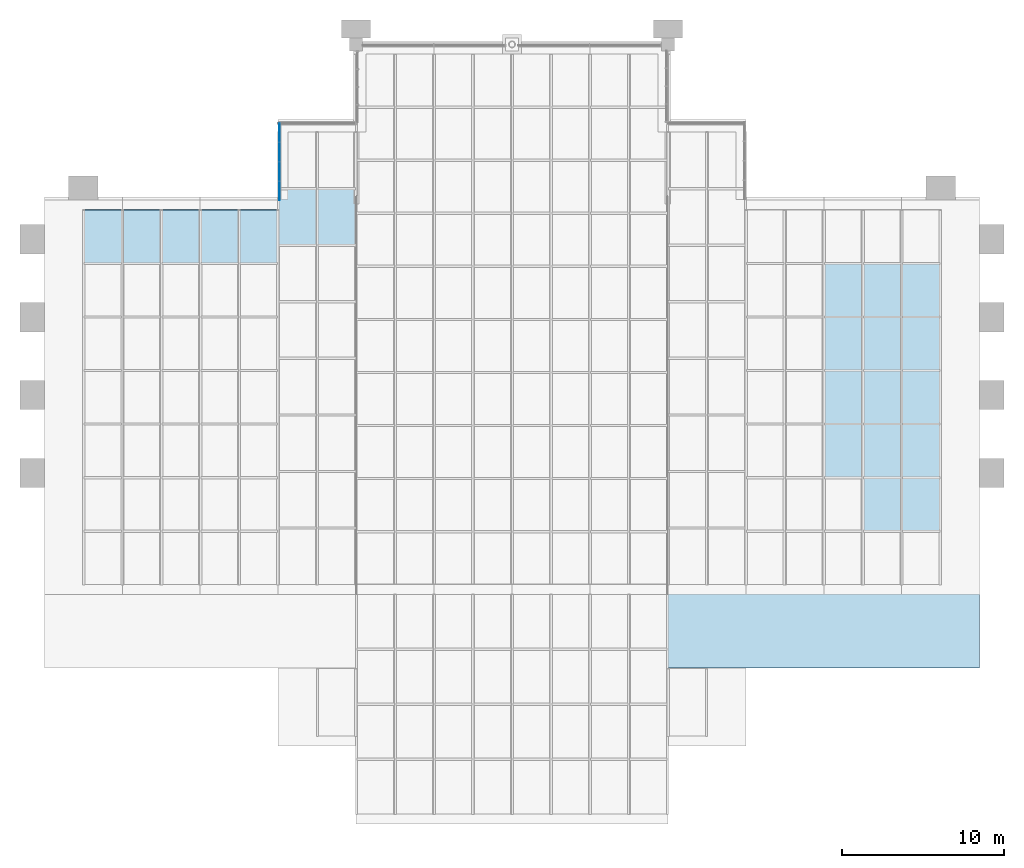
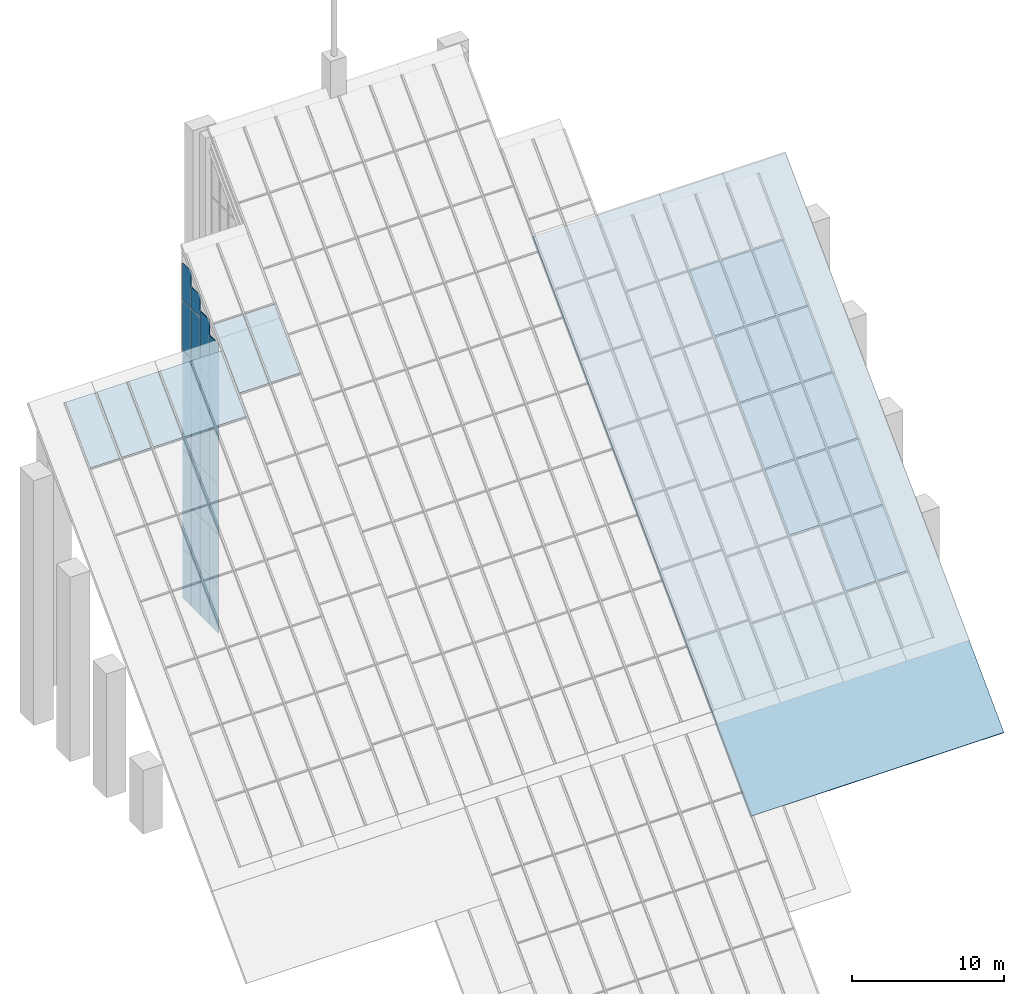
# One storey, part 20 of 25: 47 plates, 1 slab, 36 elements without a shape of their own.
"""IFC4 building model written with IfcOpenShell, lengths in metres."""

import ifcopenshell
import ifcopenshell.guid

model = None  # the IFC model being written
_history = None  # IfcOwnerHistory: only IFC2X3 demands one
_inside = {}  # id of a spatial element -> (the spatial element, [elements in it])
_under = {}  # id of a project, library or spatial element -> (it, [spatial elements below it])
_declared = {}  # id of a project -> (the project, [libraries it declares])
_typed = {}  # id of a type object -> (the type object, [elements of that type])
_made_of = {}  # id of a material, layer set ... -> (it, [elements and type objects made of it])


def new_model(schema):
    """Start an empty IFC model of exactly this schema.

    Asked for "IFC4X3", IfcOpenShell would pick the latest addendum, in which some entities
    have other attributes; the version numbers below select the first issue.
    IFC2X3 requires an IfcOwnerHistory on every rooted entity: one is made here for all.
    """
    global model, _history
    if schema == "IFC4X3":
        model = ifcopenshell.file(schema_version=(4, 3, 0, 0))
    else:
        model = ifcopenshell.file(schema=schema)
    _inside.clear()
    _under.clear()
    _declared.clear()
    _typed.clear()
    _made_of.clear()
    _history = None
    if model.schema == "IFC2X3":
        org = make("IfcOrganization", Name="unknown")
        user = make(
            "IfcPersonAndOrganization",
            ThePerson=make("IfcPerson", FamilyName="unknown"),
            TheOrganization=org,
        )
        app = make(
            "IfcApplication",
            ApplicationDeveloper=org,
            Version="unknown",
            ApplicationFullName="unknown",
            ApplicationIdentifier="unknown",
        )
        _history = make(
            "IfcOwnerHistory",
            OwningUser=user,
            OwningApplication=app,
            ChangeAction="ADDED",
            CreationDate=0,
        )
    return model


def make(cls, **values):
    """One entity of the class cls with the attributes given. An attribute that is None is left unset."""
    return model.create_entity(
        cls, **{name: value for name, value in values.items() if value is not None}
    )


def rooted(cls, **values):
    """An entity with a GlobalId (a new one), such as an element, a storey or a relation."""
    return make(cls, GlobalId=ifcopenshell.guid.new(), OwnerHistory=_history, **values)


def si_unit(unit_type, name, prefix=None):
    """IfcSIUnit, for example si_unit("LENGTHUNIT", "METRE", prefix="MILLI")."""
    return make("IfcSIUnit", UnitType=unit_type, Prefix=prefix, Name=name)


def assignment(units):
    """IfcUnitAssignment: the units of a project."""
    return None if units is None else make("IfcUnitAssignment", Units=units)


def point(xyz):
    """IfcCartesianPoint."""
    return None if xyz is None else make("IfcCartesianPoint", Coordinates=xyz)


def direction(xyz):
    """IfcDirection."""
    return None if xyz is None else make("IfcDirection", DirectionRatios=xyz)


def frame(location, z_axis=None, x_axis=None):
    """IfcAxis2Placement3D, a coordinate frame: its origin and axes. An axis left out is left unset."""
    return make(
        "IfcAxis2Placement3D",
        Location=point(location),
        Axis=direction(z_axis),
        RefDirection=direction(x_axis),
    )


def frame_2d(location, x_axis=None):
    """IfcAxis2Placement2D, a coordinate frame in the plane: its origin and x axis."""
    return make(
        "IfcAxis2Placement2D", Location=point(location), RefDirection=direction(x_axis)
    )


def origin():
    """The frame at (0, 0, 0) with its axes left unset."""
    return frame((0.0, 0.0, 0.0))


def origin_2d():
    """The frame at (0, 0) in the plane with its x axis left unset."""
    return frame_2d((0.0, 0.0))


def place(relative_to, where):
    """IfcLocalPlacement: puts the frame where relative to a parent placement (None: the world)."""
    return make(
        "IfcLocalPlacement", PlacementRelTo=relative_to, RelativePlacement=where
    )


def context(
    kind, dimensions, precision=None, world=None, true_north=None, identifier=None
):
    """IfcGeometricRepresentationContext, for example the 3D "Model" context."""
    return make(
        "IfcGeometricRepresentationContext",
        ContextIdentifier=identifier,
        ContextType=kind,
        CoordinateSpaceDimension=dimensions,
        Precision=precision,
        WorldCoordinateSystem=world,
        TrueNorth=true_north,
    )


def subcontext(parent, identifier, kind, view, scale=None):
    """IfcGeometricRepresentationSubContext, for example "Body" below "Model"."""
    return make(
        "IfcGeometricRepresentationSubContext",
        ContextIdentifier=identifier,
        ContextType=kind,
        ParentContext=parent,
        TargetScale=scale,
        TargetView=view,
    )


def project(units=None, contexts=None):
    """IfcProject with its units and contexts."""
    return rooted(
        "IfcProject",
        Name="project",
        RepresentationContexts=contexts,
        UnitsInContext=assignment(units),
    )


def spatial(cls, under=None, at=None, **own):
    """A site, building, storey or space (cls), placed at a placement, below another one or the project."""
    s = rooted(cls, ObjectPlacement=at, **own)
    if under is not None:
        _under.setdefault(under.id(), (under, []))[1].append(s)
    return s


def polyline(points):
    """IfcPolyline through the points."""
    return make("IfcPolyline", Points=[point(p) for p in points])


def profile(cls, at=None, kind="AREA", **sizes):
    """A parametric profile (cls). Its sizes go by their IFC names, for example OverallWidth=200.0."""
    return make(cls, ProfileType=kind, Position=at, **sizes)


def rectangle(**sizes):
    """IfcRectangleProfileDef."""
    return profile("IfcRectangleProfileDef", **sizes)


def outline(outer, holes=None, kind="AREA"):
    """IfcArbitraryClosedProfileDef: a profile drawn as a closed curve; with holes, ...WithVoids."""
    if holes is None:
        return make("IfcArbitraryClosedProfileDef", ProfileType=kind, OuterCurve=outer)
    return make(
        "IfcArbitraryProfileDefWithVoids",
        ProfileType=kind,
        OuterCurve=outer,
        InnerCurves=holes,
    )


def extrude(swept, where, along, depth):
    """IfcExtrudedAreaSolid: the profile swept, set in the frame where, extruded along a direction by depth."""
    return make(
        "IfcExtrudedAreaSolid",
        SweptArea=swept,
        Position=where,
        ExtrudedDirection=direction(along),
        Depth=depth,
    )


def shape(context_of_items, identifier, shape_type, items):
    """IfcShapeRepresentation: the items that make up one representation, for example the "Body"."""
    return make(
        "IfcShapeRepresentation",
        ContextOfItems=context_of_items,
        RepresentationIdentifier=identifier,
        RepresentationType=shape_type,
        Items=items,
    )


def material(Name=None, Category=None):
    """IfcMaterial."""
    return make("IfcMaterial", Name=Name, Category=Category)


def layer(
    of_material, thickness, ventilated=None, Name=None, Category=None, Priority=None
):
    """IfcMaterialLayer: one layer of a wall or slab, of a material (None: an air gap)."""
    return make(
        "IfcMaterialLayer",
        Material=of_material,
        LayerThickness=thickness,
        IsVentilated=ventilated,
        Name=Name,
        Category=Category,
        Priority=Priority,
    )


def layer_set(layers, Name=None):
    """IfcMaterialLayerSet."""
    return make("IfcMaterialLayerSet", MaterialLayers=layers, LayerSetName=Name)


def made_of(thing, what):
    """Note that an element or type object is made of a material, layer set ...; save() writes the relation."""
    if what is not None:
        _made_of.setdefault(what.id(), (what, []))[1].append(thing)
    return thing


def type_object(cls, material=None, **own):
    """A type object (cls), such as IfcWallType, which elements share."""
    return made_of(rooted(cls, **own), material)


def element(
    cls,
    number,
    at=None,
    inside=None,
    cuts=None,
    type_object=None,
    material=None,
    context=None,
    identifier="Body",
    shape_type=None,
    held_by="IfcProductDefinitionShape",
    body=None,
    shapes=None,
    **own,
):
    """One element of the class cls, such as IfcWall. Its Tag is "e" and its number.

    at: its placement. inside: the storey or other place that contains it. cuts: it is an
    opening in that element (IfcRelVoidsElement). A single representation is given by context,
    identifier, shape_type and body (its items); several are given by shapes. held_by: the class
    of the entity that holds the representations. save() writes the other relations.
    """
    e = rooted(cls, Tag="e%d" % number, ObjectPlacement=at, **own)
    if body is not None:
        shapes = [shape(context, identifier, shape_type, body)]
    if shapes is not None:
        e.Representation = make(held_by, Representations=shapes)
    if inside is not None:
        _inside.setdefault(inside.id(), (inside, []))[1].append(e)
    if cuts is not None:
        rooted(
            "IfcRelVoidsElement", RelatingBuildingElement=cuts, RelatedOpeningElement=e
        )
    if type_object is not None:
        _typed.setdefault(type_object.id(), (type_object, []))[1].append(e)
    return made_of(e, material)


def aggregate(whole, parts):
    """IfcRelAggregates: a whole, such as a stair, and the parts it consists of."""
    return rooted("IfcRelAggregates", RelatingObject=whole, RelatedObjects=parts)


def save(model, path):
    """Write the relations noted so far, then the file.

    IfcRelAggregates (storeys below a building ...), IfcRelContainedInSpatialStructure (elements
    in a storey), IfcRelDefinesByType, IfcRelAssociatesMaterial and IfcRelDeclares: one each for
    every whole, place, type object, material and project.
    """
    for whole, parts in _under.values():
        aggregate(whole, parts)
    for where, things in _inside.values():
        rooted(
            "IfcRelContainedInSpatialStructure",
            RelatedElements=things,
            RelatingStructure=where,
        )
    for kind, things in _typed.values():
        rooted("IfcRelDefinesByType", RelatedObjects=things, RelatingType=kind)
    for what, things in _made_of.values():
        rooted("IfcRelAssociatesMaterial", RelatedObjects=things, RelatingMaterial=what)
    for by, libraries in _declared.values():
        rooted("IfcRelDeclares", RelatingContext=by, RelatedDefinitions=libraries)
    model.write(path)


model = new_model("IFC4")

# Units and contexts
model_context = context("Model", 3, precision=1e-05, world=origin(), true_north=direction((0.0, 1.0)))
body_context = subcontext(model_context, "Body", "Model", "MODEL_VIEW")
ifc_project = project(units=[si_unit("LENGTHUNIT", "METRE"), si_unit("AREAUNIT", "SQUARE_METRE"), si_unit("VOLUMEUNIT", "CUBIC_METRE"), si_unit("PLANEANGLEUNIT", "RADIAN"), si_unit("MASSUNIT", "GRAM", prefix="KILO")], contexts=[model_context])

# Site, building, storey
site_placement = place(None, origin())
site = spatial("IfcSite", under=ifc_project, at=site_placement, CompositionType="ELEMENT")
building_placement = place(site_placement, origin())
building = spatial("IfcBuilding", under=site, at=building_placement, Name="Baori Bourse Tower", CompositionType="ELEMENT")
storey_placement = place(building_placement, frame((0.0, 0.0, 378.300048828125)))
storey = spatial("IfcBuildingStorey", under=building, at=storey_placement, Name="Roof", CompositionType="ELEMENT", Elevation=378.300048828125)

# Curtain wall, plate
ifc_material_1 = material(Name="Pale anodised aluminium", Category="aluminium")
curtain_wall_type_1 = type_object("IfcCurtainWallType", Name="CW3 Curtain wall", PredefinedType="NOTDEFINED", material=ifc_material_1)
curtain_wall_1_placement = place(storey_placement, origin())
curtain_wall_1 = element("IfcCurtainWall", 1, at=curtain_wall_1_placement, inside=storey, type_object=curtain_wall_type_1, Name="Curtain wall CW3 Roof 139", PredefinedType="NOTDEFINED")
ifc_material_2 = material(Name="Pale anodised aluminium", Category="aluminium")
ifc_layer_1 = layer(ifc_material_2, 0.0400390625)
ifc_layer_set_1 = layer_set([ifc_layer_1], Name="CW3 Curtain wall panel")
plate_type_1 = type_object("IfcPlateType", Name="CW3 Curtain wall panel", PredefinedType="CURTAIN_PANEL", material=ifc_layer_set_1)
plate_1_placement = place(storey_placement, frame((14.47998046875, 42.574951171875, -0.18994140625), z_axis=(0.0, 0.0, 1.0), x_axis=(0.0, -1.0, 0.0)))
plate_1 = element("IfcPlate", 2, at=plate_1_placement, type_object=plate_type_1, Name="Curtain wall CW3 louvre panel", PredefinedType="CURTAIN_PANEL", context=body_context, shape_type="SweptSolid", body=[
    extrude(rectangle(XDim=1.14990234375, YDim=0.0400390625, at=origin_2d()), origin(), (0.0, 0.0, 1.0), 3.93994140625),
])
aggregate(curtain_wall_1, [plate_1])

curtain_wall_2_placement = place(storey_placement, origin())
curtain_wall_2 = element("IfcCurtainWall", 3, at=curtain_wall_2_placement, inside=storey, type_object=curtain_wall_type_1, Name="Curtain wall CW3 Roof 140", PredefinedType="NOTDEFINED")
plate_2_placement = place(storey_placement, frame((14.47998046875, 42.574951171875, 3.81005859375), z_axis=(0.0, 0.0, 1.0), x_axis=(0.0, -1.0, 0.0)))
plate_2 = element("IfcPlate", 4, at=plate_2_placement, type_object=plate_type_1, Name="Curtain wall CW3 louvre panel", PredefinedType="CURTAIN_PANEL", context=body_context, shape_type="SweptSolid", body=[
    extrude(rectangle(XDim=1.14990234375, YDim=0.0400390625, at=origin_2d()), origin(), (0.0, 0.0, 1.0), 3.93994140625),
])
aggregate(curtain_wall_2, [plate_2])

curtain_wall_3_placement = place(storey_placement, origin())
curtain_wall_3 = element("IfcCurtainWall", 5, at=curtain_wall_3_placement, inside=storey, type_object=curtain_wall_type_1, Name="Curtain wall CW3 Roof 141", PredefinedType="NOTDEFINED")
plate_3_placement = place(storey_placement, frame((14.47998046875, 42.574951171875, 7.81005859375), z_axis=(0.0, 0.0, 1.0), x_axis=(0.0, -1.0, 0.0)))
plate_3 = element("IfcPlate", 6, at=plate_3_placement, type_object=plate_type_1, Name="Curtain wall CW3 louvre panel", PredefinedType="CURTAIN_PANEL", context=body_context, shape_type="SweptSolid", body=[
    extrude(rectangle(XDim=1.14990234375, YDim=0.0400390625, at=origin_2d()), origin(), (0.0, 0.0, 1.0), 3.93994140625),
])
aggregate(curtain_wall_3, [plate_3])

curtain_wall_4_placement = place(storey_placement, origin())
curtain_wall_4 = element("IfcCurtainWall", 7, at=curtain_wall_4_placement, inside=storey, type_object=curtain_wall_type_1, Name="Curtain wall CW3 Roof 142", PredefinedType="NOTDEFINED")
plate_4_placement = place(storey_placement, frame((14.47998046875, 42.574951171875, 11.81005859375), z_axis=(0.0, 0.0, 1.0), x_axis=(0.0, -1.0, 0.0)))
plate_4 = element("IfcPlate", 8, at=plate_4_placement, type_object=plate_type_1, Name="Curtain wall CW3 louvre panel", PredefinedType="CURTAIN_PANEL", context=body_context, shape_type="SweptSolid", body=[
    extrude(rectangle(XDim=1.14990234375, YDim=0.0400390625, at=origin_2d()), origin(), (0.0, 0.0, 1.0), 3.93994140625),
])
aggregate(curtain_wall_4, [plate_4])

curtain_wall_5_placement = place(storey_placement, origin())
curtain_wall_5 = element("IfcCurtainWall", 9, at=curtain_wall_5_placement, inside=storey, type_object=curtain_wall_type_1, Name="Curtain wall CW3 Roof 143", PredefinedType="NOTDEFINED")
plate_5_placement = place(storey_placement, frame((14.47998046875, 42.574951171875, 15.81005859375), z_axis=(0.0, 0.0, 1.0), x_axis=(0.0, -1.0, 0.0)))
plate_5 = element("IfcPlate", 10, at=plate_5_placement, type_object=plate_type_1, Name="Curtain wall CW3 louvre panel", PredefinedType="CURTAIN_PANEL", context=body_context, shape_type="SweptSolid", body=[
    extrude(rectangle(XDim=1.14990234375, YDim=0.0400390625, at=origin_2d()), origin(), (0.0, 0.0, 1.0), 3.93994140625),
])
aggregate(curtain_wall_5, [plate_5])

curtain_wall_6_placement = place(storey_placement, origin())
curtain_wall_6 = element("IfcCurtainWall", 11, at=curtain_wall_6_placement, inside=storey, type_object=curtain_wall_type_1, Name="Curtain wall CW3 Roof 144", PredefinedType="NOTDEFINED")
plate_6_placement = place(storey_placement, frame((14.47998046875, 42.574951171875, 19.81005859375), z_axis=(0.0, 0.0, 1.0), x_axis=(0.0, -1.0, 0.0)))
plate_6 = element("IfcPlate", 12, at=plate_6_placement, type_object=plate_type_1, Name="Curtain wall CW3 louvre panel", PredefinedType="CURTAIN_PANEL", context=body_context, shape_type="SweptSolid", body=[
    extrude(rectangle(XDim=1.14990234375, YDim=0.0400390625, at=origin_2d()), origin(), (0.0, 0.0, 1.0), 3.93994140625),
])
aggregate(curtain_wall_6, [plate_6])

curtain_wall_7_placement = place(storey_placement, origin())
curtain_wall_7 = element("IfcCurtainWall", 13, at=curtain_wall_7_placement, inside=storey, type_object=curtain_wall_type_1, Name="Curtain wall CW3 Roof 145", PredefinedType="NOTDEFINED")
plate_7_placement = place(storey_placement, frame((14.47998046875, 42.574951171875, 23.81005859375), z_axis=(0.0, 0.0, 1.0), x_axis=(0.0, -1.0, 0.0)))
plate_7 = element("IfcPlate", 14, at=plate_7_placement, type_object=plate_type_1, Name="Curtain wall CW3 louvre panel", PredefinedType="CURTAIN_PANEL", context=body_context, shape_type="SweptSolid", body=[
    extrude(rectangle(XDim=1.14990234375, YDim=0.0400390625, at=origin_2d()), origin(), (0.0, 0.0, 1.0), 2.945068359375),
])
aggregate(curtain_wall_7, [plate_7])

curtain_wall_8_placement = place(storey_placement, origin())
curtain_wall_8 = element("IfcCurtainWall", 15, at=curtain_wall_8_placement, inside=storey, type_object=curtain_wall_type_1, Name="Curtain wall CW3 Roof 146", PredefinedType="NOTDEFINED")
plate_8_placement = place(storey_placement, frame((14.47998046875, 41.375, -0.18994140625), z_axis=(0.0, 0.0, 1.0), x_axis=(0.0, -1.0, 0.0)))
plate_8 = element("IfcPlate", 16, at=plate_8_placement, type_object=plate_type_1, Name="Curtain wall CW3 louvre panel", PredefinedType="CURTAIN_PANEL", context=body_context, shape_type="SweptSolid", body=[
    extrude(rectangle(XDim=1.14990234375, YDim=0.0400390625, at=origin_2d()), origin(), (0.0, 0.0, 1.0), 3.93994140625),
])
aggregate(curtain_wall_8, [plate_8])

curtain_wall_9_placement = place(storey_placement, origin())
curtain_wall_9 = element("IfcCurtainWall", 17, at=curtain_wall_9_placement, inside=storey, type_object=curtain_wall_type_1, Name="Curtain wall CW3 Roof 147", PredefinedType="NOTDEFINED")
plate_9_placement = place(storey_placement, frame((14.47998046875, 41.375, 3.81005859375), z_axis=(0.0, 0.0, 1.0), x_axis=(0.0, -1.0, 0.0)))
plate_9 = element("IfcPlate", 18, at=plate_9_placement, type_object=plate_type_1, Name="Curtain wall CW3 louvre panel", PredefinedType="CURTAIN_PANEL", context=body_context, shape_type="SweptSolid", body=[
    extrude(rectangle(XDim=1.14990234375, YDim=0.0400390625, at=origin_2d()), origin(), (0.0, 0.0, 1.0), 3.93994140625),
])
aggregate(curtain_wall_9, [plate_9])

curtain_wall_10_placement = place(storey_placement, origin())
curtain_wall_10 = element("IfcCurtainWall", 19, at=curtain_wall_10_placement, inside=storey, type_object=curtain_wall_type_1, Name="Curtain wall CW3 Roof 148", PredefinedType="NOTDEFINED")
plate_10_placement = place(storey_placement, frame((14.47998046875, 41.375, 7.81005859375), z_axis=(0.0, 0.0, 1.0), x_axis=(0.0, -1.0, 0.0)))
plate_10 = element("IfcPlate", 20, at=plate_10_placement, type_object=plate_type_1, Name="Curtain wall CW3 louvre panel", PredefinedType="CURTAIN_PANEL", context=body_context, shape_type="SweptSolid", body=[
    extrude(rectangle(XDim=1.14990234375, YDim=0.0400390625, at=origin_2d()), origin(), (0.0, 0.0, 1.0), 3.93994140625),
])
aggregate(curtain_wall_10, [plate_10])

curtain_wall_11_placement = place(storey_placement, origin())
curtain_wall_11 = element("IfcCurtainWall", 21, at=curtain_wall_11_placement, inside=storey, type_object=curtain_wall_type_1, Name="Curtain wall CW3 Roof 149", PredefinedType="NOTDEFINED")
plate_11_placement = place(storey_placement, frame((14.47998046875, 41.375, 11.81005859375), z_axis=(0.0, 0.0, 1.0), x_axis=(0.0, -1.0, 0.0)))
plate_11 = element("IfcPlate", 22, at=plate_11_placement, type_object=plate_type_1, Name="Curtain wall CW3 louvre panel", PredefinedType="CURTAIN_PANEL", context=body_context, shape_type="SweptSolid", body=[
    extrude(rectangle(XDim=1.14990234375, YDim=0.0400390625, at=origin_2d()), origin(), (0.0, 0.0, 1.0), 3.93994140625),
])
aggregate(curtain_wall_11, [plate_11])

curtain_wall_12_placement = place(storey_placement, origin())
curtain_wall_12 = element("IfcCurtainWall", 23, at=curtain_wall_12_placement, inside=storey, type_object=curtain_wall_type_1, Name="Curtain wall CW3 Roof 150", PredefinedType="NOTDEFINED")
plate_12_placement = place(storey_placement, frame((14.47998046875, 41.375, 15.81005859375), z_axis=(0.0, 0.0, 1.0), x_axis=(0.0, -1.0, 0.0)))
plate_12 = element("IfcPlate", 24, at=plate_12_placement, type_object=plate_type_1, Name="Curtain wall CW3 louvre panel", PredefinedType="CURTAIN_PANEL", context=body_context, shape_type="SweptSolid", body=[
    extrude(rectangle(XDim=1.14990234375, YDim=0.0400390625, at=origin_2d()), origin(), (0.0, 0.0, 1.0), 3.93994140625),
])
aggregate(curtain_wall_12, [plate_12])

curtain_wall_13_placement = place(storey_placement, origin())
curtain_wall_13 = element("IfcCurtainWall", 25, at=curtain_wall_13_placement, inside=storey, type_object=curtain_wall_type_1, Name="Curtain wall CW3 Roof 151", PredefinedType="NOTDEFINED")
plate_13_placement = place(storey_placement, frame((14.47998046875, 41.375, 19.81005859375), z_axis=(0.0, 0.0, 1.0), x_axis=(0.0, -1.0, 0.0)))
plate_13 = element("IfcPlate", 26, at=plate_13_placement, type_object=plate_type_1, Name="Curtain wall CW3 louvre panel", PredefinedType="CURTAIN_PANEL", context=body_context, shape_type="SweptSolid", body=[
    extrude(rectangle(XDim=1.14990234375, YDim=0.0400390625, at=origin_2d()), origin(), (0.0, 0.0, 1.0), 3.93994140625),
])
aggregate(curtain_wall_13, [plate_13])

curtain_wall_14_placement = place(storey_placement, origin())
curtain_wall_14 = element("IfcCurtainWall", 27, at=curtain_wall_14_placement, inside=storey, type_object=curtain_wall_type_1, Name="Curtain wall CW3 Roof 152", PredefinedType="NOTDEFINED")
plate_14_placement = place(storey_placement, frame((14.47998046875, 41.375, 23.81005859375), z_axis=(0.0, 0.0, 1.0), x_axis=(0.0, -1.0, 0.0)))
plate_14 = element("IfcPlate", 28, at=plate_14_placement, type_object=plate_type_1, Name="Curtain wall CW3 louvre panel", PredefinedType="CURTAIN_PANEL", context=body_context, shape_type="SweptSolid", body=[
    extrude(rectangle(XDim=1.14990234375, YDim=0.0400390625, at=origin_2d()), origin(), (0.0, 0.0, 1.0), 1.72998046875),
])
aggregate(curtain_wall_14, [plate_14])

curtain_wall_15_placement = place(storey_placement, origin())
curtain_wall_15 = element("IfcCurtainWall", 29, at=curtain_wall_15_placement, inside=storey, type_object=curtain_wall_type_1, Name="Curtain wall CW3 Roof 153", PredefinedType="NOTDEFINED")
plate_15_placement = place(storey_placement, frame((14.47998046875, 40.175048828125, -0.18994140625), z_axis=(0.0, 0.0, 1.0), x_axis=(0.0, -1.0, 0.0)))
plate_15 = element("IfcPlate", 30, at=plate_15_placement, type_object=plate_type_1, Name="Curtain wall CW3 louvre panel", PredefinedType="CURTAIN_PANEL", context=body_context, shape_type="SweptSolid", body=[
    extrude(rectangle(XDim=1.14990234375, YDim=0.0400390625, at=origin_2d()), origin(), (0.0, 0.0, 1.0), 3.93994140625),
])
aggregate(curtain_wall_15, [plate_15])

curtain_wall_16_placement = place(storey_placement, origin())
curtain_wall_16 = element("IfcCurtainWall", 31, at=curtain_wall_16_placement, inside=storey, type_object=curtain_wall_type_1, Name="Curtain wall CW3 Roof 154", PredefinedType="NOTDEFINED")
plate_16_placement = place(storey_placement, frame((14.47998046875, 40.175048828125, 3.81005859375), z_axis=(0.0, 0.0, 1.0), x_axis=(0.0, -1.0, 0.0)))
plate_16 = element("IfcPlate", 32, at=plate_16_placement, type_object=plate_type_1, Name="Curtain wall CW3 louvre panel", PredefinedType="CURTAIN_PANEL", context=body_context, shape_type="SweptSolid", body=[
    extrude(rectangle(XDim=1.14990234375, YDim=0.0400390625, at=origin_2d()), origin(), (0.0, 0.0, 1.0), 3.93994140625),
])
aggregate(curtain_wall_16, [plate_16])

curtain_wall_17_placement = place(storey_placement, origin())
curtain_wall_17 = element("IfcCurtainWall", 33, at=curtain_wall_17_placement, inside=storey, type_object=curtain_wall_type_1, Name="Curtain wall CW3 Roof 155", PredefinedType="NOTDEFINED")
plate_17_placement = place(storey_placement, frame((14.47998046875, 40.175048828125, 7.81005859375), z_axis=(0.0, 0.0, 1.0), x_axis=(0.0, -1.0, 0.0)))
plate_17 = element("IfcPlate", 34, at=plate_17_placement, type_object=plate_type_1, Name="Curtain wall CW3 louvre panel", PredefinedType="CURTAIN_PANEL", context=body_context, shape_type="SweptSolid", body=[
    extrude(rectangle(XDim=1.14990234375, YDim=0.0400390625, at=origin_2d()), origin(), (0.0, 0.0, 1.0), 3.93994140625),
])
aggregate(curtain_wall_17, [plate_17])

curtain_wall_18_placement = place(storey_placement, origin())
curtain_wall_18 = element("IfcCurtainWall", 35, at=curtain_wall_18_placement, inside=storey, type_object=curtain_wall_type_1, Name="Curtain wall CW3 Roof 156", PredefinedType="NOTDEFINED")
plate_18_placement = place(storey_placement, frame((14.47998046875, 40.175048828125, 11.81005859375), z_axis=(0.0, 0.0, 1.0), x_axis=(0.0, -1.0, 0.0)))
plate_18 = element("IfcPlate", 36, at=plate_18_placement, type_object=plate_type_1, Name="Curtain wall CW3 louvre panel", PredefinedType="CURTAIN_PANEL", context=body_context, shape_type="SweptSolid", body=[
    extrude(rectangle(XDim=1.14990234375, YDim=0.0400390625, at=origin_2d()), origin(), (0.0, 0.0, 1.0), 3.93994140625),
])
aggregate(curtain_wall_18, [plate_18])

curtain_wall_19_placement = place(storey_placement, origin())
curtain_wall_19 = element("IfcCurtainWall", 37, at=curtain_wall_19_placement, inside=storey, type_object=curtain_wall_type_1, Name="Curtain wall CW3 Roof 157", PredefinedType="NOTDEFINED")
plate_19_placement = place(storey_placement, frame((14.47998046875, 40.175048828125, 15.81005859375), z_axis=(0.0, 0.0, 1.0), x_axis=(0.0, -1.0, 0.0)))
plate_19 = element("IfcPlate", 38, at=plate_19_placement, type_object=plate_type_1, Name="Curtain wall CW3 louvre panel", PredefinedType="CURTAIN_PANEL", context=body_context, shape_type="SweptSolid", body=[
    extrude(rectangle(XDim=1.14990234375, YDim=0.0400390625, at=origin_2d()), origin(), (0.0, 0.0, 1.0), 3.93994140625),
])
aggregate(curtain_wall_19, [plate_19])

curtain_wall_20_placement = place(storey_placement, origin())
curtain_wall_20 = element("IfcCurtainWall", 39, at=curtain_wall_20_placement, inside=storey, type_object=curtain_wall_type_1, Name="Curtain wall CW3 Roof 158", PredefinedType="NOTDEFINED")
plate_20_placement = place(storey_placement, frame((14.47998046875, 40.175048828125, 19.81005859375), z_axis=(0.0, 0.0, 1.0), x_axis=(0.0, -1.0, 0.0)))
plate_20 = element("IfcPlate", 40, at=plate_20_placement, type_object=plate_type_1, Name="Curtain wall CW3 louvre panel", PredefinedType="CURTAIN_PANEL", context=body_context, shape_type="SweptSolid", body=[
    extrude(rectangle(XDim=1.14990234375, YDim=0.0400390625, at=origin_2d()), origin(), (0.0, 0.0, 1.0), 4.514892578125),
])
aggregate(curtain_wall_20, [plate_20])

curtain_wall_21_placement = place(storey_placement, origin())
curtain_wall_21 = element("IfcCurtainWall", 41, at=curtain_wall_21_placement, inside=storey, type_object=curtain_wall_type_1, Name="Curtain wall CW3 Roof 159", PredefinedType="NOTDEFINED")
plate_21_placement = place(storey_placement, frame((14.47998046875, 38.97509765625, -0.18994140625), z_axis=(0.0, 0.0, 1.0), x_axis=(0.0, -1.0, 0.0)))
plate_21 = element("IfcPlate", 42, at=plate_21_placement, type_object=plate_type_1, Name="Curtain wall CW3 louvre panel", PredefinedType="CURTAIN_PANEL", context=body_context, shape_type="SweptSolid", body=[
    extrude(rectangle(XDim=1.14990234375, YDim=0.0400390625, at=origin_2d()), origin(), (0.0, 0.0, 1.0), 3.93994140625),
])
aggregate(curtain_wall_21, [plate_21])

curtain_wall_22_placement = place(storey_placement, origin())
curtain_wall_22 = element("IfcCurtainWall", 43, at=curtain_wall_22_placement, inside=storey, type_object=curtain_wall_type_1, Name="Curtain wall CW3 Roof 160", PredefinedType="NOTDEFINED")
plate_22_placement = place(storey_placement, frame((14.47998046875, 38.97509765625, 3.81005859375), z_axis=(0.0, 0.0, 1.0), x_axis=(0.0, -1.0, 0.0)))
plate_22 = element("IfcPlate", 44, at=plate_22_placement, type_object=plate_type_1, Name="Curtain wall CW3 louvre panel", PredefinedType="CURTAIN_PANEL", context=body_context, shape_type="SweptSolid", body=[
    extrude(rectangle(XDim=1.14990234375, YDim=0.0400390625, at=origin_2d()), origin(), (0.0, 0.0, 1.0), 3.93994140625),
])
aggregate(curtain_wall_22, [plate_22])

curtain_wall_23_placement = place(storey_placement, origin())
curtain_wall_23 = element("IfcCurtainWall", 45, at=curtain_wall_23_placement, inside=storey, type_object=curtain_wall_type_1, Name="Curtain wall CW3 Roof 161", PredefinedType="NOTDEFINED")
plate_23_placement = place(storey_placement, frame((14.47998046875, 38.97509765625, 7.81005859375), z_axis=(0.0, 0.0, 1.0), x_axis=(0.0, -1.0, 0.0)))
plate_23 = element("IfcPlate", 46, at=plate_23_placement, type_object=plate_type_1, Name="Curtain wall CW3 louvre panel", PredefinedType="CURTAIN_PANEL", context=body_context, shape_type="SweptSolid", body=[
    extrude(rectangle(XDim=1.14990234375, YDim=0.0400390625, at=origin_2d()), origin(), (0.0, 0.0, 1.0), 3.93994140625),
])
aggregate(curtain_wall_23, [plate_23])

curtain_wall_24_placement = place(storey_placement, origin())
curtain_wall_24 = element("IfcCurtainWall", 47, at=curtain_wall_24_placement, inside=storey, type_object=curtain_wall_type_1, Name="Curtain wall CW3 Roof 162", PredefinedType="NOTDEFINED")
plate_24_placement = place(storey_placement, frame((14.47998046875, 38.97509765625, 11.81005859375), z_axis=(0.0, 0.0, 1.0), x_axis=(0.0, -1.0, 0.0)))
plate_24 = element("IfcPlate", 48, at=plate_24_placement, type_object=plate_type_1, Name="Curtain wall CW3 louvre panel", PredefinedType="CURTAIN_PANEL", context=body_context, shape_type="SweptSolid", body=[
    extrude(rectangle(XDim=1.14990234375, YDim=0.0400390625, at=origin_2d()), origin(), (0.0, 0.0, 1.0), 3.93994140625),
])
aggregate(curtain_wall_24, [plate_24])

curtain_wall_25_placement = place(storey_placement, origin())
curtain_wall_25 = element("IfcCurtainWall", 49, at=curtain_wall_25_placement, inside=storey, type_object=curtain_wall_type_1, Name="Curtain wall CW3 Roof 163", PredefinedType="NOTDEFINED")
plate_25_placement = place(storey_placement, frame((14.47998046875, 38.97509765625, 15.81005859375), z_axis=(0.0, 0.0, 1.0), x_axis=(0.0, -1.0, 0.0)))
plate_25 = element("IfcPlate", 50, at=plate_25_placement, type_object=plate_type_1, Name="Curtain wall CW3 louvre panel", PredefinedType="CURTAIN_PANEL", context=body_context, shape_type="SweptSolid", body=[
    extrude(rectangle(XDim=1.14990234375, YDim=0.0400390625, at=origin_2d()), origin(), (0.0, 0.0, 1.0), 3.93994140625),
])
aggregate(curtain_wall_25, [plate_25])

curtain_wall_26_placement = place(storey_placement, origin())
curtain_wall_26 = element("IfcCurtainWall", 51, at=curtain_wall_26_placement, inside=storey, type_object=curtain_wall_type_1, Name="Curtain wall CW3 Roof 164", PredefinedType="NOTDEFINED")
plate_26_placement = place(storey_placement, frame((14.47998046875, 38.97509765625, 19.81005859375), z_axis=(0.0, 0.0, 1.0), x_axis=(0.0, -1.0, 0.0)))
plate_26 = element("IfcPlate", 52, at=plate_26_placement, type_object=plate_type_1, Name="Curtain wall CW3 louvre panel", PredefinedType="CURTAIN_PANEL", context=body_context, shape_type="SweptSolid", body=[
    extrude(rectangle(XDim=1.14990234375, YDim=0.0400390625, at=origin_2d()), origin(), (0.0, 0.0, 1.0), 3.300048828125),
])
aggregate(curtain_wall_26, [plate_26])

ifc_material_3 = material(Name="Pale anodised aluminium", Category="aluminium")
curtain_wall_type_2 = type_object("IfcCurtainWallType", Name="CW4 Curtain wall", PredefinedType="NOTDEFINED", material=ifc_material_3)
curtain_wall_27_placement = place(storey_placement, origin())
curtain_wall_27 = element("IfcCurtainWall", 53, at=curtain_wall_27_placement, inside=storey, type_object=curtain_wall_type_2, Name="Curtain wall CW4 roof glazing 1", PredefinedType="NOTDEFINED")
ifc_material_4 = material(Name="Clear glass", Category="glass")
ifc_layer_2 = layer(ifc_material_4, 0.02587890625)
ifc_layer_set_2 = layer_set([ifc_layer_2], Name="CW4 Curtain wall panel")
plate_type_2 = type_object("IfcPlateType", Name="CW4 Curtain wall panel", PredefinedType="CURTAIN_PANEL", material=ifc_layer_set_2)
plate_27_placement = place(storey_placement, frame((2.449951171875, 34.53076171875, 19.666015625), z_axis=(0.0, -0.71144906925, 0.702737662192), x_axis=(1.0, 0.0, 0.0)))
plate_27 = element("IfcPlate", 54, at=plate_27_placement, type_object=plate_type_2, Name="Curtain wall CW4 roof glass 1.7", PredefinedType="CURTAIN_PANEL", context=body_context, shape_type="SweptSolid", body=[
    extrude(outline(polyline([(0.0, 0.0), (2.300048828125, 0.0), (2.300048828125, 4.652215592343145), (0.0, 4.652215592343145), (0.0, 0.0)])), origin(), (0.0, 0.0, -1.0), 0.02587890625),
])
aggregate(curtain_wall_27, [plate_27])

curtain_wall_28_placement = place(storey_placement, origin())
curtain_wall_28 = element("IfcCurtainWall", 55, at=curtain_wall_28_placement, inside=storey, type_object=curtain_wall_type_2, Name="Curtain wall CW4 roof glazing 2", PredefinedType="NOTDEFINED")
plate_28_placement = place(storey_placement, frame((4.85009765625, 34.53076171875, 19.666015625), z_axis=(0.0, -0.71144906925, 0.702737662192), x_axis=(1.0, 0.0, 0.0)))
plate_28 = element("IfcPlate", 56, at=plate_28_placement, type_object=plate_type_2, Name="Curtain wall CW4 roof glass 2.7", PredefinedType="CURTAIN_PANEL", context=body_context, shape_type="SweptSolid", body=[
    extrude(outline(polyline([(0.0, 0.0), (2.2998046875, 0.0), (2.2998046875, 4.652215592343145), (0.0, 4.652215592343145), (0.0, 0.0)])), origin(), (0.0, 0.0, -1.0), 0.02587890625),
])
aggregate(curtain_wall_28, [plate_28])

curtain_wall_29_placement = place(storey_placement, origin())
curtain_wall_29 = element("IfcCurtainWall", 57, at=curtain_wall_29_placement, inside=storey, type_object=curtain_wall_type_2, Name="Curtain wall CW4 roof glazing 3", PredefinedType="NOTDEFINED")
plate_29_placement = place(storey_placement, frame((7.25, 34.53076171875, 19.666015625), z_axis=(0.0, -0.71144906925, 0.702737662192), x_axis=(1.0, 0.0, 0.0)))
plate_29 = element("IfcPlate", 58, at=plate_29_placement, type_object=plate_type_2, Name="Curtain wall CW4 roof glass 3.7", PredefinedType="CURTAIN_PANEL", context=body_context, shape_type="SweptSolid", body=[
    extrude(outline(polyline([(0.0, 0.0), (2.300048828125, 0.0), (2.300048828125, 4.652215592343145), (0.0, 4.652215592343145), (0.0, 0.0)])), origin(), (0.0, 0.0, -1.0), 0.02587890625),
])
aggregate(curtain_wall_29, [plate_29])

curtain_wall_30_placement = place(storey_placement, origin())
curtain_wall_30 = element("IfcCurtainWall", 59, at=curtain_wall_30_placement, inside=storey, type_object=curtain_wall_type_2, Name="Curtain wall CW4 roof glazing 4", PredefinedType="NOTDEFINED")
plate_30_placement = place(storey_placement, frame((9.64990234375, 34.53076171875, 19.666015625), z_axis=(0.0, -0.71144906925, 0.702737662192), x_axis=(1.0, 0.0, 0.0)))
plate_30 = element("IfcPlate", 60, at=plate_30_placement, type_object=plate_type_2, Name="Curtain wall CW4 roof glass 4.7", PredefinedType="CURTAIN_PANEL", context=body_context, shape_type="SweptSolid", body=[
    extrude(outline(polyline([(0.0, 0.0), (2.300048828125, 0.0), (2.300048828125, 4.652215592343145), (0.0, 4.652215592343145), (0.0, 0.0)])), origin(), (0.0, 0.0, -1.0), 0.02587890625),
])
aggregate(curtain_wall_30, [plate_30])

curtain_wall_31_placement = place(storey_placement, origin())
curtain_wall_31 = element("IfcCurtainWall", 61, at=curtain_wall_31_placement, inside=storey, type_object=curtain_wall_type_2, Name="Curtain wall CW4 roof glazing 5", PredefinedType="NOTDEFINED")
plate_31_placement = place(storey_placement, frame((12.050048828125, 34.53076171875, 19.666015625), z_axis=(0.0, -0.71144906925, 0.702737662192), x_axis=(1.0, 0.0, 0.0)))
plate_31 = element("IfcPlate", 62, at=plate_31_placement, type_object=plate_type_2, Name="Curtain wall CW4 roof glass 5.7", PredefinedType="CURTAIN_PANEL", context=body_context, shape_type="SweptSolid", body=[
    extrude(outline(polyline([(0.0, 0.0), (2.300048828125, 0.0), (2.300048828125, 4.652215592343145), (0.0, 4.652215592343145), (0.0, 0.0)])), origin(), (0.0, 0.0, -1.0), 0.02587890625),
])
aggregate(curtain_wall_31, [plate_31])

curtain_wall_32_placement = place(storey_placement, origin())
curtain_wall_32 = element("IfcCurtainWall", 63, at=curtain_wall_32_placement, inside=storey, type_object=curtain_wall_type_2, Name="Curtain wall CW4 roof glazing 6", PredefinedType="NOTDEFINED")
plate_32_placement = place(storey_placement, frame((14.449951171875, 35.658447265625, 20.8076171875), z_axis=(0.0, -0.711495214068, 0.702690942277), x_axis=(1.0, 0.0, 0.0)))
plate_32 = element("IfcPlate", 64, at=plate_32_placement, type_object=plate_type_2, Name="Curtain wall CW4 roof glass 6.7", PredefinedType="CURTAIN_PANEL", context=body_context, shape_type="SweptSolid", body=[
    extrude(outline(polyline([(0.0, 0.0), (2.300048828125, 0.0), (2.300048828125, 4.88044338277737), (0.0, 4.88044338277737), (0.0, 0.0)])), origin(), (0.0, 0.0, -1.0), 0.02587890625),
])
aggregate(curtain_wall_32, [plate_32])

curtain_wall_33_placement = place(storey_placement, origin())
curtain_wall_33 = element("IfcCurtainWall", 65, at=curtain_wall_33_placement, inside=storey, type_object=curtain_wall_type_2, Name="Curtain wall CW4 roof glazing 7", PredefinedType="NOTDEFINED")
plate_33_placement = place(storey_placement, frame((16.85009765625, 35.658447265625, 20.8076171875), z_axis=(0.0, -0.711495214068, 0.702690942277), x_axis=(1.0, 0.0, 0.0)))
plate_33 = element("IfcPlate", 66, at=plate_33_placement, type_object=plate_type_2, Name="Curtain wall CW4 roof glass 7.7", PredefinedType="CURTAIN_PANEL", context=body_context, shape_type="SweptSolid", body=[
    extrude(outline(polyline([(0.0, 0.0), (2.2998046875, 0.0), (2.2998046875, 4.88044338277737), (0.0, 4.88044338277737), (0.0, 0.0)])), origin(), (0.0, 0.0, -1.0), 0.02587890625),
])
aggregate(curtain_wall_33, [plate_33])

# Curtain wall, plates
curtain_wall_34_placement = place(storey_placement, origin())
curtain_wall_34 = element("IfcCurtainWall", 67, at=curtain_wall_34_placement, inside=storey, type_object=curtain_wall_type_2, Name="Curtain wall CW4 roof glazing 30", PredefinedType="NOTDEFINED")
plate_34_placement = place(storey_placement, frame((48.050048828125, 21.34423828125, 6.314453125), z_axis=(0.0, -0.711485678109, 0.702700597585), x_axis=(1.0, 0.0, 0.0)))
plate_34 = element("IfcPlate", 68, at=plate_34_placement, type_object=plate_type_2, Name="Curtain wall CW4 roof glass 30.3", PredefinedType="CURTAIN_PANEL", context=body_context, shape_type="SweptSolid", body=[
    extrude(outline(polyline([(0.0, 0.0), (2.300048828125, 0.0), (2.300048828125, 4.613201169732892), (0.0, 4.613201169732892), (0.0, 0.0)])), origin(), (0.0, 0.0, -1.0), 0.02587890625),
])
plate_35_placement = place(storey_placement, frame((48.050048828125, 24.640869140625, 9.65234375), z_axis=(0.0, -0.711485678109, 0.702700597585), x_axis=(1.0, 0.0, 0.0)))
plate_35 = element("IfcPlate", 69, at=plate_35_placement, type_object=plate_type_2, Name="Curtain wall CW4 roof glass 30.4", PredefinedType="CURTAIN_PANEL", context=body_context, shape_type="SweptSolid", body=[
    extrude(outline(polyline([(0.0, 0.0), (2.300048828125, 0.0), (2.300048828125, 4.613201169732892), (0.0, 4.613201169732892), (0.0, 0.0)])), origin(), (0.0, 0.0, -1.0), 0.02587890625),
])
plate_36_placement = place(storey_placement, frame((48.050048828125, 27.9375, 12.990234375), z_axis=(0.0, -0.711485678109, 0.702700597585), x_axis=(1.0, 0.0, 0.0)))
plate_36 = element("IfcPlate", 70, at=plate_36_placement, type_object=plate_type_2, Name="Curtain wall CW4 roof glass 30.5", PredefinedType="CURTAIN_PANEL", context=body_context, shape_type="SweptSolid", body=[
    extrude(outline(polyline([(0.0, 0.0), (2.300048828125, 0.0), (2.300048828125, 4.613201169732892), (0.0, 4.613201169732892), (0.0, 0.0)])), origin(), (0.0, 0.0, -1.0), 0.02587890625),
])
plate_37_placement = place(storey_placement, frame((48.050048828125, 31.234130859375, 16.328125), z_axis=(0.0, -0.711485678109, 0.702700597585), x_axis=(1.0, 0.0, 0.0)))
plate_37 = element("IfcPlate", 71, at=plate_37_placement, type_object=plate_type_2, Name="Curtain wall CW4 roof glass 30.6", PredefinedType="CURTAIN_PANEL", context=body_context, shape_type="SweptSolid", body=[
    extrude(outline(polyline([(0.0, 0.0), (2.300048828125, 0.0), (2.300048828125, 4.613201169732892), (0.0, 4.613201169732892), (0.0, 0.0)])), origin(), (0.0, 0.0, -1.0), 0.02587890625),
])
aggregate(curtain_wall_34, [plate_34, plate_35, plate_36, plate_37])

curtain_wall_35_placement = place(storey_placement, origin())
curtain_wall_35 = element("IfcCurtainWall", 72, at=curtain_wall_35_placement, inside=storey, type_object=curtain_wall_type_2, Name="Curtain wall CW4 roof glazing 31", PredefinedType="NOTDEFINED")
plate_38_placement = place(storey_placement, frame((50.449951171875, 18.047607421875, 2.9765625), z_axis=(0.0, -0.711485678109, 0.702700597585), x_axis=(1.0, 0.0, 0.0)))
plate_38 = element("IfcPlate", 73, at=plate_38_placement, type_object=plate_type_2, Name="Curtain wall CW4 roof glass 31.2", PredefinedType="CURTAIN_PANEL", context=body_context, shape_type="SweptSolid", body=[
    extrude(outline(polyline([(0.0, 0.0), (2.300048828125, 0.0), (2.300048828125, 4.613201169732892), (0.0, 4.613201169732892), (0.0, 0.0)])), origin(), (0.0, 0.0, -1.0), 0.02587890625),
])
plate_39_placement = place(storey_placement, frame((50.449951171875, 21.34423828125, 6.314453125), z_axis=(0.0, -0.711485678109, 0.702700597585), x_axis=(1.0, 0.0, 0.0)))
plate_39 = element("IfcPlate", 74, at=plate_39_placement, type_object=plate_type_2, Name="Curtain wall CW4 roof glass 31.3", PredefinedType="CURTAIN_PANEL", context=body_context, shape_type="SweptSolid", body=[
    extrude(outline(polyline([(0.0, 0.0), (2.300048828125, 0.0), (2.300048828125, 4.613201169732892), (0.0, 4.613201169732892), (0.0, 0.0)])), origin(), (0.0, 0.0, -1.0), 0.02587890625),
])
plate_40_placement = place(storey_placement, frame((50.449951171875, 24.640869140625, 9.65234375), z_axis=(0.0, -0.711485678109, 0.702700597585), x_axis=(1.0, 0.0, 0.0)))
plate_40 = element("IfcPlate", 75, at=plate_40_placement, type_object=plate_type_2, Name="Curtain wall CW4 roof glass 31.4", PredefinedType="CURTAIN_PANEL", context=body_context, shape_type="SweptSolid", body=[
    extrude(outline(polyline([(0.0, 0.0), (2.300048828125, 0.0), (2.300048828125, 4.613201169732892), (0.0, 4.613201169732892), (0.0, 0.0)])), origin(), (0.0, 0.0, -1.0), 0.02587890625),
])
plate_41_placement = place(storey_placement, frame((50.449951171875, 27.9375, 12.990234375), z_axis=(0.0, -0.711485678109, 0.702700597585), x_axis=(1.0, 0.0, 0.0)))
plate_41 = element("IfcPlate", 76, at=plate_41_placement, type_object=plate_type_2, Name="Curtain wall CW4 roof glass 31.5", PredefinedType="CURTAIN_PANEL", context=body_context, shape_type="SweptSolid", body=[
    extrude(outline(polyline([(0.0, 0.0), (2.300048828125, 0.0), (2.300048828125, 4.613201169732892), (0.0, 4.613201169732892), (0.0, 0.0)])), origin(), (0.0, 0.0, -1.0), 0.02587890625),
])
plate_42_placement = place(storey_placement, frame((50.449951171875, 31.234130859375, 16.328125), z_axis=(0.0, -0.711485678109, 0.702700597585), x_axis=(1.0, 0.0, 0.0)))
plate_42 = element("IfcPlate", 77, at=plate_42_placement, type_object=plate_type_2, Name="Curtain wall CW4 roof glass 31.6", PredefinedType="CURTAIN_PANEL", context=body_context, shape_type="SweptSolid", body=[
    extrude(outline(polyline([(0.0, 0.0), (2.300048828125, 0.0), (2.300048828125, 4.613201169732892), (0.0, 4.613201169732892), (0.0, 0.0)])), origin(), (0.0, 0.0, -1.0), 0.02587890625),
])
aggregate(curtain_wall_35, [plate_38, plate_39, plate_40, plate_41, plate_42])

curtain_wall_36_placement = place(storey_placement, origin())
curtain_wall_36 = element("IfcCurtainWall", 78, at=curtain_wall_36_placement, inside=storey, type_object=curtain_wall_type_2, Name="Curtain wall CW4 roof glazing 32", PredefinedType="NOTDEFINED")
plate_43_placement = place(storey_placement, frame((52.85009765625, 18.047607421875, 2.9765625), z_axis=(0.0, -0.711485678109, 0.702700597585), x_axis=(1.0, 0.0, 0.0)))
plate_43 = element("IfcPlate", 79, at=plate_43_placement, type_object=plate_type_2, Name="Curtain wall CW4 roof glass 32.2", PredefinedType="CURTAIN_PANEL", context=body_context, shape_type="SweptSolid", body=[
    extrude(outline(polyline([(0.0, 0.0), (2.2998046875, 0.0), (2.2998046875, 4.613201169732892), (0.0, 4.613201169732892), (0.0, 0.0)])), origin(), (0.0, 0.0, -1.0), 0.02587890625),
])
plate_44_placement = place(storey_placement, frame((52.85009765625, 21.34423828125, 6.314453125), z_axis=(0.0, -0.711485678109, 0.702700597585), x_axis=(1.0, 0.0, 0.0)))
plate_44 = element("IfcPlate", 80, at=plate_44_placement, type_object=plate_type_2, Name="Curtain wall CW4 roof glass 32.3", PredefinedType="CURTAIN_PANEL", context=body_context, shape_type="SweptSolid", body=[
    extrude(outline(polyline([(0.0, 0.0), (2.2998046875, 0.0), (2.2998046875, 4.613201169732892), (0.0, 4.613201169732892), (0.0, 0.0)])), origin(), (0.0, 0.0, -1.0), 0.02587890625),
])
plate_45_placement = place(storey_placement, frame((52.85009765625, 24.640869140625, 9.65234375), z_axis=(0.0, -0.711485678109, 0.702700597585), x_axis=(1.0, 0.0, 0.0)))
plate_45 = element("IfcPlate", 81, at=plate_45_placement, type_object=plate_type_2, Name="Curtain wall CW4 roof glass 32.4", PredefinedType="CURTAIN_PANEL", context=body_context, shape_type="SweptSolid", body=[
    extrude(outline(polyline([(0.0, 0.0), (2.2998046875, 0.0), (2.2998046875, 4.613201169732892), (0.0, 4.613201169732892), (0.0, 0.0)])), origin(), (0.0, 0.0, -1.0), 0.02587890625),
])
plate_46_placement = place(storey_placement, frame((52.85009765625, 27.9375, 12.990234375), z_axis=(0.0, -0.711485678109, 0.702700597585), x_axis=(1.0, 0.0, 0.0)))
plate_46 = element("IfcPlate", 82, at=plate_46_placement, type_object=plate_type_2, Name="Curtain wall CW4 roof glass 32.5", PredefinedType="CURTAIN_PANEL", context=body_context, shape_type="SweptSolid", body=[
    extrude(outline(polyline([(0.0, 0.0), (2.2998046875, 0.0), (2.2998046875, 4.613201169732892), (0.0, 4.613201169732892), (0.0, 0.0)])), origin(), (0.0, 0.0, -1.0), 0.02587890625),
])
plate_47_placement = place(storey_placement, frame((52.85009765625, 31.234130859375, 16.328125), z_axis=(0.0, -0.711485678109, 0.702700597585), x_axis=(1.0, 0.0, 0.0)))
plate_47 = element("IfcPlate", 83, at=plate_47_placement, type_object=plate_type_2, Name="Curtain wall CW4 roof glass 32.6", PredefinedType="CURTAIN_PANEL", context=body_context, shape_type="SweptSolid", body=[
    extrude(outline(polyline([(0.0, 0.0), (2.2998046875, 0.0), (2.2998046875, 4.613201169732892), (0.0, 4.613201169732892), (0.0, 0.0)])), origin(), (0.0, 0.0, -1.0), 0.02587890625),
])
aggregate(curtain_wall_36, [plate_43, plate_44, plate_45, plate_46, plate_47])

# Slab
ifc_material_5 = material(Name="Concrete f'c 40 MPa", Category="concrete")
ifc_layer_3 = layer(ifc_material_5, 0.25)
ifc_layer_set_3 = layer_set([ifc_layer_3], Name="Core roof slab 250")
slab_type = type_object("IfcSlabType", Name="Core roof slab 250", PredefinedType="ROOF", material=ifc_layer_set_3)
slab_placement = place(storey_placement, frame((38.39990234375, 9.60009765625, -5.780029296875), z_axis=(0.0, -0.711486348452, 0.702699918861), x_axis=(1.0, 0.0, 0.0)))
element("IfcSlab", 84, at=slab_placement, inside=storey, type_object=slab_type, Name="Core roof slab E", PredefinedType="ROOF", context=body_context, shape_type="SweptSolid", body=[
    extrude(outline(polyline([(0.0, 0.0), (19.2001953125, 0.0), (19.2001953125, 40.98449980498263), (0.0, 40.98449980498263), (0.0, 0.0)])), origin(), (0.0, 0.0, -1.0), 0.25),
])

save(model, "model.ifc")
